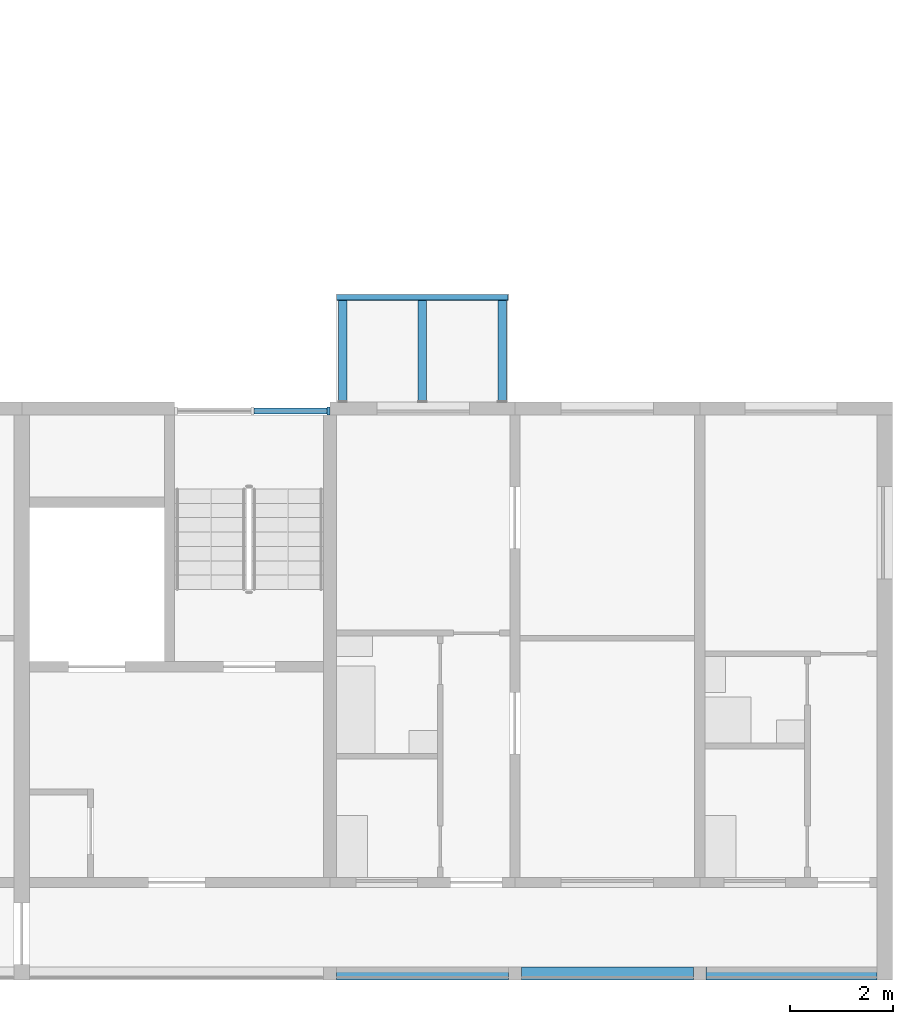
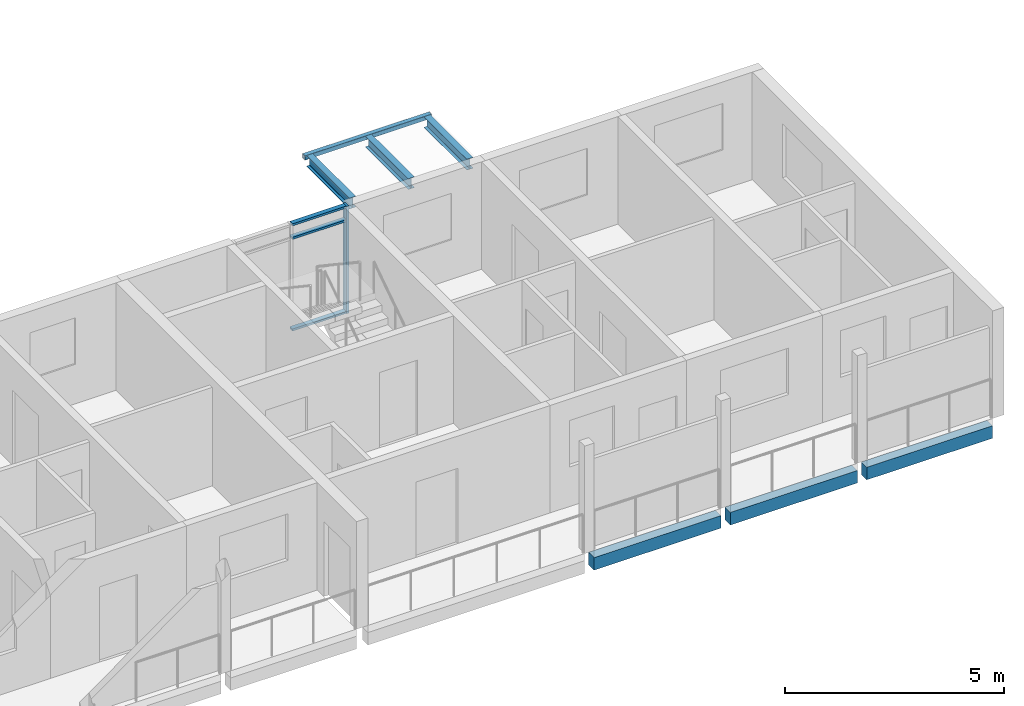
# One storey, part 14 of 64: 7 beams, 4 members, 1 element without a shape of its own.
"""IFC4 building model written with IfcOpenShell, lengths in metres."""

from ifc_helpers import new_model, si_unit, direction, frame, origin, origin_2d, place, context, subcontext, project, spatial, rectangle, hollow_rectangle, i_section, extrude, material, material_profile, profile_set, type_object, element, aggregate, save


model = new_model("IFC4")

# Units and contexts
model_context = context("Model", 3, precision=1e-05, world=origin(), true_north=direction((0.0, 1.0)))
body_context = subcontext(model_context, "Body", "Model", "MODEL_VIEW")
ifc_project = project(units=[si_unit("LENGTHUNIT", "METRE"), si_unit("AREAUNIT", "SQUARE_METRE"), si_unit("VOLUMEUNIT", "CUBIC_METRE"), si_unit("PLANEANGLEUNIT", "RADIAN"), si_unit("MASSUNIT", "GRAM", prefix="KILO")], contexts=[model_context])

# Site, building, storey
site_placement = place(None, origin())
site = spatial("IfcSite", under=ifc_project, at=site_placement, CompositionType="ELEMENT")
building_placement = place(site_placement, origin())
building = spatial("IfcBuilding", under=site, at=building_placement, Name="Ridgestep Commons", CompositionType="ELEMENT")
storey_placement = place(building_placement, frame((0.0, 0.0, 33.0)))
storey = spatial("IfcBuildingStorey", under=building, at=storey_placement, Name="L11", CompositionType="ELEMENT", Elevation=33.0)

# Beams
ifc_material_1 = material(Name="Precast concrete C40/50", Category="concrete")
ifc_material_profile_1 = material_profile(ifc_material_1, rectangle(XDim=0.25, YDim=0.35009765625, at=origin_2d()), Name="PC 250x350")
ifc_profile_set_1 = profile_set([ifc_material_profile_1], Name="Precast concrete C40/50")
beam_type_1 = type_object("IfcBeamType", Name="Loggia edge beam 250 x 350", PredefinedType="SPANDREL", material=ifc_profile_set_1)
beam_1_placement = place(storey_placement, frame((236.925048828125, 11.875, -0.375), z_axis=(1.0, 0.0, 0.0), x_axis=(0.0, 1.0, 0.0)))
element("IfcBeam", 1, at=beam_1_placement, inside=storey, type_object=beam_type_1, Name="Loggia edge beam D6T3 L11", PredefinedType="SPANDREL", context=body_context, shape_type="SweptSolid", body=[
    extrude(rectangle(XDim=0.25, YDim=0.35009765625, at=origin_2d()), origin(), (0.0, 0.0, 1.0), 3.349853515625),
])
beam_2_placement = place(storey_placement, frame((240.52490234375, 11.875, -0.375), z_axis=(1.0, 0.0, 0.0), x_axis=(0.0, 1.0, 0.0)))
element("IfcBeam", 2, at=beam_2_placement, inside=storey, type_object=beam_type_1, Name="Loggia edge beam D6T2 L11", PredefinedType="SPANDREL", context=body_context, shape_type="SweptSolid", body=[
    extrude(rectangle(XDim=0.25, YDim=0.35009765625, at=origin_2d()), origin(), (0.0, 0.0, 1.0), 3.35009765625),
])
beam_3_placement = place(storey_placement, frame((244.125, 11.875, -0.375), z_axis=(1.0, 0.0, 0.0), x_axis=(0.0, 1.0, 0.0)))
element("IfcBeam", 3, at=beam_3_placement, inside=storey, type_object=beam_type_1, Name="Loggia edge beam D6T1 L11", PredefinedType="SPANDREL", context=body_context, shape_type="SweptSolid", body=[
    extrude(rectangle(XDim=0.25, YDim=0.35009765625, at=origin_2d()), origin(), (0.0, 0.0, 1.0), 3.324951171875),
])

# Curtain wall, members
ifc_material_2 = material(Name="Aluminium 6063-T6 and glass", Category="aluminium")
curtain_wall_type = type_object("IfcCurtainWallType", Name="Curtain wall stair strip", PredefinedType="NOTDEFINED", material=ifc_material_2)
curtain_wall_placement = place(storey_placement, origin())
curtain_wall = element("IfcCurtainWall", 4, at=curtain_wall_placement, inside=storey, type_object=curtain_wall_type, Name="Curtain wall D6C level 11", PredefinedType="NOTDEFINED")
ifc_material_3 = material(Name="Aluminium 6063-T6", Category="aluminium")
ifc_material_profile_2 = material_profile(ifc_material_3, rectangle(XDim=0.159912109375, YDim=0.06005859375, at=origin_2d()), Name="Mullion 60 x 160")
ifc_profile_set_2 = profile_set([ifc_material_profile_2], Name="Aluminium 6063-T6")
member_type_1 = type_object("IfcMemberType", Name="Mullion 60 x 160", PredefinedType="MULLION", material=ifc_profile_set_2)
member_1_placement = place(storey_placement, frame((236.77001953125, 22.830078125, 0.0), z_axis=(0.0, 0.0, 1.0), x_axis=(0.0, 1.0, 0.0)))
member_1 = element("IfcMember", 5, at=member_1_placement, type_object=member_type_1, Name="CW1 mullion 3", PredefinedType="MULLION", context=body_context, shape_type="SweptSolid", body=[
    extrude(rectangle(XDim=0.159912109375, YDim=0.06005859375, at=origin_2d()), origin(), (0.0, 0.0, 1.0), 3.0),
])
ifc_material_4 = material(Name="Aluminium 6063-T6", Category="aluminium")
ifc_material_profile_3 = material_profile(ifc_material_4, rectangle(XDim=0.1201171875, YDim=0.06005859375, at=origin_2d()), Name="Transom 60 x 120")
ifc_profile_set_3 = profile_set([ifc_material_profile_3], Name="Aluminium 6063-T6")
member_type_2 = type_object("IfcMemberType", Name="Transom 60 x 120", PredefinedType="USERDEFINED", material=ifc_profile_set_3)
member_2_placement = place(storey_placement, frame((235.3173828125, 22.830078125, 0.030029296875), z_axis=(1.0, 0.0, 0.0), x_axis=(0.0, 1.0, 0.0)))
member_2 = element("IfcMember", 6, at=member_2_placement, type_object=member_type_2, Name="CW1 transom 2.1", ObjectType="TRANSOM", PredefinedType="USERDEFINED", context=body_context, shape_type="SweptSolid", body=[
    extrude(rectangle(XDim=0.1201171875, YDim=0.06005859375, at=origin_2d()), origin(), (0.0, 0.0, 1.0), 1.422607421875),
])
member_3_placement = place(storey_placement, frame((235.3173828125, 22.830078125, 2.590087890625), z_axis=(1.0, 0.0, 0.0), x_axis=(0.0, 1.0, 0.0)))
member_3 = element("IfcMember", 7, at=member_3_placement, type_object=member_type_2, Name="CW1 transom 2.2", ObjectType="TRANSOM", PredefinedType="USERDEFINED", context=body_context, shape_type="SweptSolid", body=[
    extrude(rectangle(XDim=0.1201171875, YDim=0.06005859375, at=origin_2d()), origin(), (0.0, 0.0, 1.0), 1.422607421875),
])
member_4_placement = place(storey_placement, frame((235.3173828125, 22.830078125, 2.969970703125), z_axis=(1.0, 0.0, 0.0), x_axis=(0.0, 1.0, 0.0)))
member_4 = element("IfcMember", 8, at=member_4_placement, type_object=member_type_2, Name="CW1 transom 2.3", ObjectType="TRANSOM", PredefinedType="USERDEFINED", context=body_context, shape_type="SweptSolid", body=[
    extrude(rectangle(XDim=0.1201171875, YDim=0.06005859375, at=origin_2d()), origin(), (0.0, 0.0, 1.0), 1.422607421875),
])
aggregate(curtain_wall, [member_1, member_2, member_3, member_4])

# Beams
ifc_material_5 = material(Name="Weathering steel S355J2W", Category="steel")
ifc_material_profile_4 = material_profile(ifc_material_5, i_section(OverallWidth=0.1650390625, OverallDepth=0.303466796875, WebThickness=0.006103515625, FlangeThickness=0.01025390625, FilletRadius=0.0087890625, at=origin_2d()), Name="UB 305x165x40")
ifc_profile_set_4 = profile_set([ifc_material_profile_4], Name="Weathering steel S355J2W")
beam_type_2 = type_object("IfcBeamType", Name="Tray arm UB 305x165x40", PredefinedType="BEAM", material=ifc_profile_set_4)
for number, where, z_axis, x_axis, name in (
    (9, (237.050048828125, 23.014892578125, 2.83837890625), (0.0, 1.0, 0.0), (-1.0, 0.0, 0.0), "Tray arm D6T3-12.1"),
    (10, (238.60009765625, 23.014892578125, 2.83837890625), (0.0, 1.0, 0.0), (-1.0, 0.0, 0.0), "Tray arm D6T3-12.2"),
    (11, (240.14990234375, 23.014892578125, 2.83837890625), (0.0, 1.0, 0.0), (-1.0, 0.0, 0.0), "Tray arm D6T3-12.3"),
):
    element("IfcBeam", number, at=place(storey_placement, frame(where, z_axis=z_axis, x_axis=x_axis)), inside=storey, type_object=beam_type_2, Name=name, PredefinedType="BEAM", context=body_context, shape_type="SweptSolid", body=[
        extrude(i_section(OverallWidth=0.1650390625, OverallDepth=0.303466796875, WebThickness=0.006103515625, FlangeThickness=0.01025390625, FilletRadius=0.0087890625, at=origin_2d()), origin(), (0.0, 0.0, 1.0), 1.965087890625),
    ])
ifc_material_6 = material(Name="Weathering steel S355J2W", Category="steel")
ifc_material_profile_5 = material_profile(ifc_material_6, hollow_rectangle(XDim=0.1201171875, YDim=0.1201171875, WallThickness=0.00634765625, InnerFilletRadius=0.00634765625, OuterFilletRadius=0.009521484375, at=origin_2d()), Name="SHS 120x120x6.3")
ifc_profile_set_5 = profile_set([ifc_material_profile_5], Name="Weathering steel S355J2W")
beam_type_3 = type_object("IfcBeamType", Name="Tray edge member SHS 120x120x6.3", PredefinedType="BEAM", material=ifc_profile_set_5)
beam_4_placement = place(storey_placement, frame((236.929931640625, 25.0400390625, 2.929931640625), z_axis=(1.0, 0.0, 0.0), x_axis=(0.0, 0.0, 1.0)))
element("IfcBeam", 12, at=beam_4_placement, inside=storey, type_object=beam_type_3, Name="Tray edge member D6T3-12", PredefinedType="BEAM", context=body_context, shape_type="SweptSolid", body=[
    extrude(hollow_rectangle(XDim=0.1201171875, YDim=0.1201171875, WallThickness=0.00634765625, InnerFilletRadius=0.00634765625, OuterFilletRadius=0.009521484375, at=origin_2d()), origin(), (0.0, 0.0, 1.0), 3.340087890625),
])

save(model, "model.ifc")
